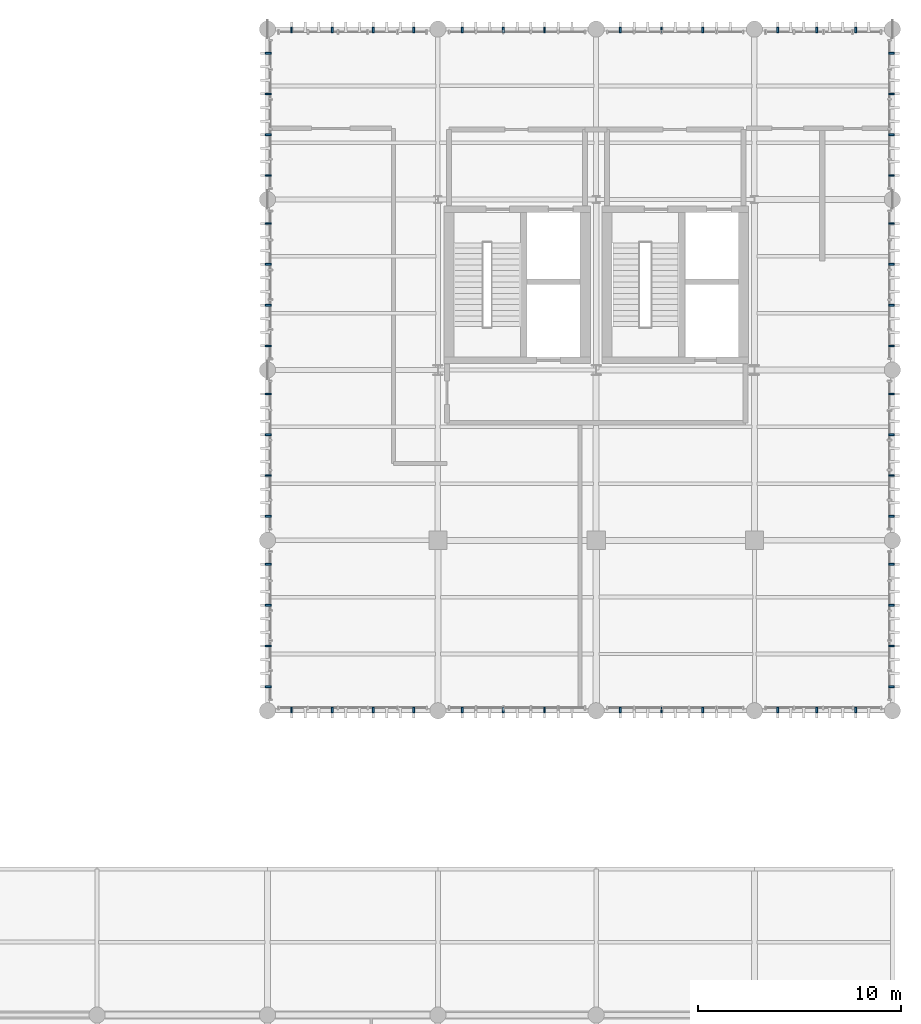
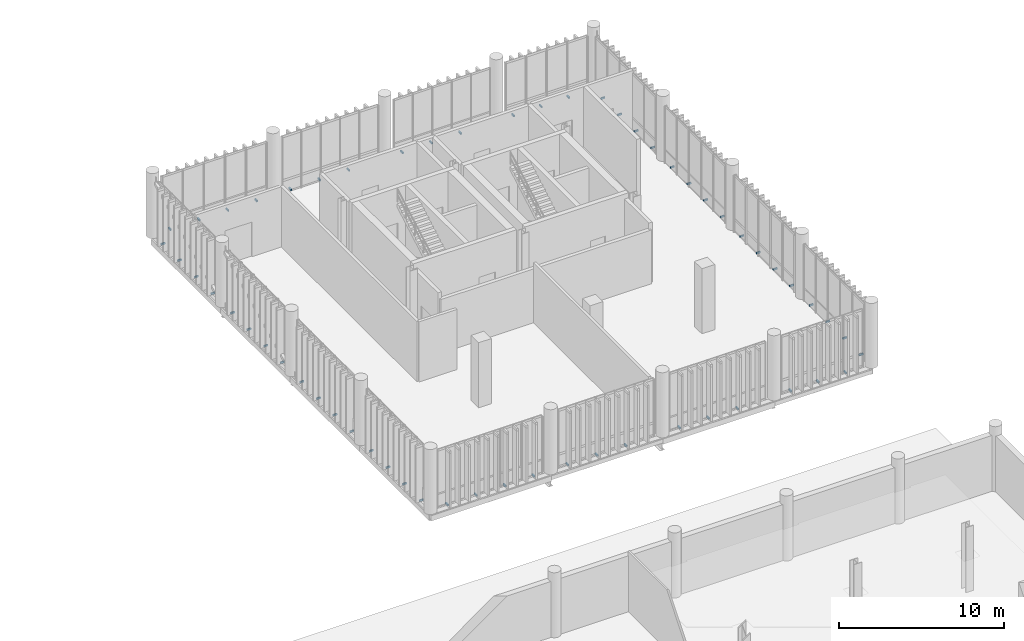
# One storey, part 100 of 109: 58 discrete accessories.
"""IFC4 building model written with IfcOpenShell, lengths in metres."""

from ifc_helpers import new_model, si_unit, direction, frame, origin_with_axes, origin_2d_with_axis, place, context, subcontext, project, spatial, rectangle, extrude, material, type_object, element, save


model = new_model("IFC4")

# Units and contexts
model_context = context("Model", 3, precision=1e-05, world=origin_with_axes(), true_north=direction((0.0, 1.0)))
body_context = subcontext(model_context, "Body", "Model", "MODEL_VIEW")
ifc_project = project(units=[si_unit("LENGTHUNIT", "METRE"), si_unit("AREAUNIT", "SQUARE_METRE"), si_unit("VOLUMEUNIT", "CUBIC_METRE"), si_unit("PLANEANGLEUNIT", "RADIAN"), si_unit("MASSUNIT", "GRAM", prefix="KILO"), si_unit("THERMODYNAMICTEMPERATUREUNIT", "KELVIN")], contexts=[model_context])

# Site, building, storey
site_placement = place(None, origin_with_axes())
site = spatial("IfcSite", under=ifc_project, at=site_placement, CompositionType="ELEMENT")
building_placement = place(site_placement, origin_with_axes())
building = spatial("IfcBuilding", under=site, at=building_placement, Name="Montbau Bow Law Courts", CompositionType="ELEMENT")
storey_placement = place(building_placement, frame((0.0, 0.0, 10.8), z_axis=(0.0, 0.0, 1.0), x_axis=(1.0, 0.0, 0.0)))
storey = spatial("IfcBuildingStorey", under=building, at=storey_placement, Name="L02", CompositionType="ELEMENT", Elevation=10.8)

# Discrete accessories
ifc_material = material(Name="Stainless Steel AISI 316L Outrigger Louvre Bracket", Category="steel")
discrete_accessory_type = type_object("IfcDiscreteAccessoryType", Name="DA-BRK-01", PredefinedType="BRACKET", material=ifc_material)
for number, where, z_axis, x_axis, name in (
    (1, (139.785, 69.64, 10.8), (0.0, 0.0, 1.0), (0.0, -1.0, 0.0), "BRK-L02-0985:brk_0985"),
    (2, (141.795, 69.64, 10.8), (0.0, 0.0, 1.0), (0.0, -1.0, 0.0), "BRK-L02-0986:brk_0986"),
    (3, (143.805, 69.64, 10.8), (0.0, 0.0, 1.0), (0.0, -1.0, 0.0), "BRK-L02-0987:brk_0987"),
    (4, (145.815, 69.64, 10.8), (0.0, 0.0, 1.0), (0.0, -1.0, 0.0), "BRK-L02-0988:brk_0988"),
    (5, (148.192, 69.64, 10.8), (0.0, 0.0, 1.0), (0.0, -1.0, 0.0), "BRK-L02-0989:brk_0989"),
    (6, (150.223, 69.64, 10.8), (0.0, 0.0, 1.0), (0.0, -1.0, 0.0), "BRK-L02-0990:brk_0990"),
    (7, (152.254, 69.64, 10.8), (0.0, 0.0, 1.0), (0.0, -1.0, 0.0), "BRK-L02-0991:brk_0991"),
    (8, (155.992, 69.64, 10.8), (0.0, 0.0, 1.0), (0.0, -1.0, 0.0), "BRK-L02-0992:brk_0992"),
    (9, (158.023, 69.64, 10.8), (0.0, 0.0, 1.0), (0.0, -1.0, 0.0), "BRK-L02-0993:brk_0993"),
    (10, (160.054, 69.64, 10.8), (0.0, 0.0, 1.0), (0.0, -1.0, 0.0), "BRK-L02-0994:brk_0994"),
    (11, (163.756, 69.64, 10.8), (0.0, 0.0, 1.0), (0.0, -1.0, 0.0), "BRK-L02-0995:brk_0995"),
    (12, (165.679, 69.64, 10.8), (0.0, 0.0, 1.0), (0.0, -1.0, 0.0), "BRK-L02-0996:brk_0996"),
    (13, (167.603, 69.64, 10.8), (0.0, 0.0, 1.0), (0.0, -1.0, 0.0), "BRK-L02-0997:brk_0997"),
    (14, (139.785, 103.16, 10.8), (0.0, 0.0, 1.0), (0.0, 1.0, 0.0), "BRK-L02-0998:brk_0998"),
    (15, (141.795, 103.16, 10.8), (0.0, 0.0, 1.0), (0.0, 1.0, 0.0), "BRK-L02-0999:brk_0999"),
    (16, (143.805, 103.16, 10.8), (0.0, 0.0, 1.0), (0.0, 1.0, 0.0), "BRK-L02-1000:brk_1000"),
    (17, (145.815, 103.16, 10.8), (0.0, 0.0, 1.0), (0.0, 1.0, 0.0), "BRK-L02-1001:brk_1001"),
    (18, (148.192, 103.16, 10.8), (0.0, 0.0, 1.0), (0.0, 1.0, 0.0), "BRK-L02-1002:brk_1002"),
    (19, (150.223, 103.16, 10.8), (0.0, 0.0, 1.0), (0.0, 1.0, 0.0), "BRK-L02-1003:brk_1003"),
    (20, (152.254, 103.16, 10.8), (0.0, 0.0, 1.0), (0.0, 1.0, 0.0), "BRK-L02-1004:brk_1004"),
    (21, (155.992, 103.16, 10.8), (0.0, 0.0, 1.0), (0.0, 1.0, 0.0), "BRK-L02-1005:brk_1005"),
    (22, (158.023, 103.16, 10.8), (0.0, 0.0, 1.0), (0.0, 1.0, 0.0), "BRK-L02-1006:brk_1006"),
    (23, (160.054, 103.16, 10.8), (0.0, 0.0, 1.0), (0.0, 1.0, 0.0), "BRK-L02-1007:brk_1007"),
    (24, (163.756, 103.16, 10.8), (0.0, 0.0, 1.0), (0.0, 1.0, 0.0), "BRK-L02-1008:brk_1008"),
    (25, (165.679, 103.16, 10.8), (0.0, 0.0, 1.0), (0.0, 1.0, 0.0), "BRK-L02-1009:brk_1009"),
    (26, (167.603, 103.16, 10.8), (0.0, 0.0, 1.0), (0.0, 1.0, 0.0), "BRK-L02-1010:brk_1010"),
    (27, (138.64, 70.785, 10.8), (0.0, 0.0, 1.0), (-1.0, 0.0, 0.0), "BRK-L02-1011:brk_1011"),
    (28, (138.64, 72.795, 10.8), (0.0, 0.0, 1.0), (-1.0, 0.0, 0.0), "BRK-L02-1012:brk_1012"),
    (29, (138.64, 74.805, 10.8), (0.0, 0.0, 1.0), (-1.0, 0.0, 0.0), "BRK-L02-1013:brk_1013"),
    (30, (138.64, 76.815, 10.8), (0.0, 0.0, 1.0), (-1.0, 0.0, 0.0), "BRK-L02-1014:brk_1014"),
    (31, (138.64, 79.185, 10.8), (0.0, 0.0, 1.0), (-1.0, 0.0, 0.0), "BRK-L02-1015:brk_1015"),
    (32, (138.64, 81.195, 10.8), (0.0, 0.0, 1.0), (-1.0, 0.0, 0.0), "BRK-L02-1016:brk_1016"),
    (33, (138.64, 83.205, 10.8), (0.0, 0.0, 1.0), (-1.0, 0.0, 0.0), "BRK-L02-1017:brk_1017"),
    (34, (138.64, 85.215, 10.8), (0.0, 0.0, 1.0), (-1.0, 0.0, 0.0), "BRK-L02-1018:brk_1018"),
    (35, (138.64, 87.585, 10.8), (0.0, 0.0, 1.0), (-1.0, 0.0, 0.0), "BRK-L02-1019:brk_1019"),
    (36, (138.64, 89.595, 10.8), (0.0, 0.0, 1.0), (-1.0, 0.0, 0.0), "BRK-L02-1020:brk_1020"),
    (37, (138.64, 91.605, 10.8), (0.0, 0.0, 1.0), (-1.0, 0.0, 0.0), "BRK-L02-1021:brk_1021"),
    (38, (138.64, 93.615, 10.8), (0.0, 0.0, 1.0), (-1.0, 0.0, 0.0), "BRK-L02-1022:brk_1022"),
    (39, (138.64, 95.985, 10.8), (0.0, 0.0, 1.0), (-1.0, 0.0, 0.0), "BRK-L02-1023:brk_1023"),
    (40, (138.64, 97.995, 10.8), (0.0, 0.0, 1.0), (-1.0, 0.0, 0.0), "BRK-L02-1024:brk_1024"),
    (41, (138.64, 100.005, 10.8), (0.0, 0.0, 1.0), (-1.0, 0.0, 0.0), "BRK-L02-1025:brk_1025"),
    (42, (138.64, 102.015, 10.8), (0.0, 0.0, 1.0), (-1.0, 0.0, 0.0), "BRK-L02-1026:brk_1026"),
    (43, (169.36, 70.785, 10.8), (0.0, 0.0, 1.0), (1.0, 0.0, 0.0), "BRK-L02-1027:brk_1027"),
    (44, (169.36, 72.795, 10.8), (0.0, 0.0, 1.0), (1.0, 0.0, 0.0), "BRK-L02-1028:brk_1028"),
    (45, (169.36, 74.805, 10.8), (0.0, 0.0, 1.0), (1.0, 0.0, 0.0), "BRK-L02-1029:brk_1029"),
    (46, (169.36, 76.815, 10.8), (0.0, 0.0, 1.0), (1.0, 0.0, 0.0), "BRK-L02-1030:brk_1030"),
    (47, (169.36, 79.185, 10.8), (0.0, 0.0, 1.0), (1.0, 0.0, 0.0), "BRK-L02-1031:brk_1031"),
    (48, (169.36, 81.195, 10.8), (0.0, 0.0, 1.0), (1.0, 0.0, 0.0), "BRK-L02-1032:brk_1032"),
    (49, (169.36, 83.205, 10.8), (0.0, 0.0, 1.0), (1.0, 0.0, 0.0), "BRK-L02-1033:brk_1033"),
    (50, (169.36, 85.215, 10.8), (0.0, 0.0, 1.0), (1.0, 0.0, 0.0), "BRK-L02-1034:brk_1034"),
    (51, (169.36, 87.585, 10.8), (0.0, 0.0, 1.0), (1.0, 0.0, 0.0), "BRK-L02-1035:brk_1035"),
    (52, (169.36, 89.595, 10.8), (0.0, 0.0, 1.0), (1.0, 0.0, 0.0), "BRK-L02-1036:brk_1036"),
    (53, (169.36, 91.605, 10.8), (0.0, 0.0, 1.0), (1.0, 0.0, 0.0), "BRK-L02-1037:brk_1037"),
    (54, (169.36, 93.615, 10.8), (0.0, 0.0, 1.0), (1.0, 0.0, 0.0), "BRK-L02-1038:brk_1038"),
    (55, (169.36, 95.985, 10.8), (0.0, 0.0, 1.0), (1.0, 0.0, 0.0), "BRK-L02-1039:brk_1039"),
    (56, (169.36, 97.995, 10.8), (0.0, 0.0, 1.0), (1.0, 0.0, 0.0), "BRK-L02-1040:brk_1040"),
    (57, (169.36, 100.005, 10.8), (0.0, 0.0, 1.0), (1.0, 0.0, 0.0), "BRK-L02-1041:brk_1041"),
    (58, (169.36, 102.015, 10.8), (0.0, 0.0, 1.0), (1.0, 0.0, 0.0), "BRK-L02-1042:brk_1042"),
):
    element("IfcDiscreteAccessory", number, at=place(None, frame(where, z_axis=z_axis, x_axis=x_axis)), inside=storey, type_object=discrete_accessory_type, Name=name, PredefinedType="BRACKET", context=body_context, shape_type="SweptSolid", body=[
        extrude(rectangle(XDim=0.28, YDim=0.09, at=origin_2d_with_axis()), origin_with_axes(), (0.0, 0.0, 1.0), 0.12),
    ])

save(model, "model.ifc")
